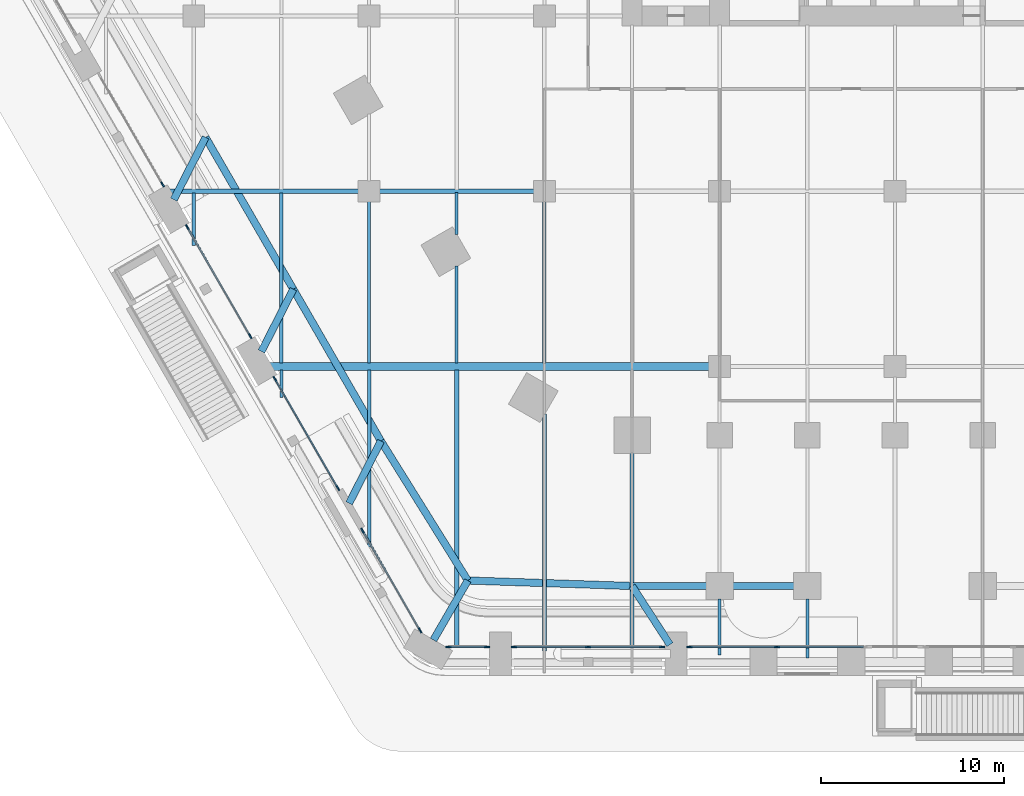
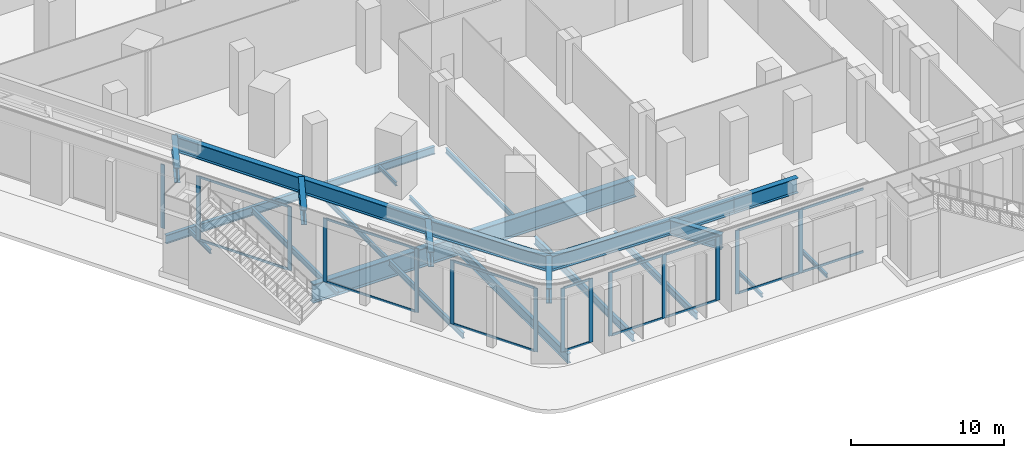
# One storey, part 2 of 34: 30 members, 27 beams, 7 elements without a shape of their own.
"""IFC4 building model written with IfcOpenShell, lengths in metres."""

from ifc_helpers import new_model, si_unit, direction, frame, origin, origin_2d, place, context, subcontext, project, spatial, rectangle, i_section, extrude, material, material_profile, profile_set, type_object, element, aggregate, save


model = new_model("IFC4")

# Units and contexts
model_context = context("Model", 3, precision=1e-05, world=origin(), true_north=direction((0.0, 1.0)))
body_context = subcontext(model_context, "Body", "Model", "MODEL_VIEW")
ifc_project = project(units=[si_unit("LENGTHUNIT", "METRE"), si_unit("AREAUNIT", "SQUARE_METRE"), si_unit("VOLUMEUNIT", "CUBIC_METRE"), si_unit("PLANEANGLEUNIT", "RADIAN"), si_unit("MASSUNIT", "GRAM", prefix="KILO")], contexts=[model_context])

# Site, building, storey
site_placement = place(None, origin())
site = spatial("IfcSite", under=ifc_project, at=site_placement, CompositionType="ELEMENT")
building_placement = place(site_placement, origin())
building = spatial("IfcBuilding", under=site, at=building_placement, Name="Kolab Exchange Tower", CompositionType="ELEMENT")
storey_placement = place(building_placement, frame((0.0, 0.0, 7.0)))
storey = spatial("IfcBuildingStorey", under=building, at=storey_placement, Name="L01", CompositionType="ELEMENT", Elevation=7.0)

# Beams
ifc_material_1 = material(Name="Steel S355", Category="steel")
ifc_material_profile_1 = material_profile(ifc_material_1, i_section(OverallWidth=0.1650390625, OverallDepth=0.31005859375, WebThickness=0.005859375, FlangeThickness=0.009765625, at=origin_2d()), Name="W310X39")
ifc_profile_set_1 = profile_set([ifc_material_profile_1], Name="Steel S355")
beam_type_1 = type_object("IfcBeamType", Name="FLOOR BEAM W310X39", PredefinedType="BEAM", material=ifc_profile_set_1)
beam_1_placement = place(storey_placement, frame((-38.39990234375, -22.181396484375, -0.455078125), z_axis=(0.0, 1.0, 0.0), x_axis=(-1.0, 0.0, 0.0)))
element("IfcBeam", 1, at=beam_1_placement, inside=storey, type_object=beam_type_1, Name="beam/L01/fr/006", PredefinedType="BEAM", context=body_context, shape_type="SweptSolid", body=[
    extrude(i_section(OverallWidth=0.1650390625, OverallDepth=0.31005859375, WebThickness=0.005859375, FlangeThickness=0.009765625, at=origin_2d()), origin(), (0.0, 0.0, 1.0), 2.894287109375),
])
beam_2_placement = place(storey_placement, frame((-33.60009765625, -30.495361328125, -0.455078125), z_axis=(0.0, 1.0, 0.0), x_axis=(-1.0, 0.0, 0.0)))
element("IfcBeam", 2, at=beam_2_placement, inside=storey, type_object=beam_type_1, Name="beam/L01/fr/012", PredefinedType="BEAM", context=body_context, shape_type="SweptSolid", body=[
    extrude(i_section(OverallWidth=0.1650390625, OverallDepth=0.31005859375, WebThickness=0.005859375, FlangeThickness=0.009765625, at=origin_2d()), origin(), (0.0, 0.0, 1.0), 1.51025390625),
])
beam_3_placement = place(storey_placement, frame((-24.0, -28.614990234375, -0.455078125), z_axis=(0.0, 1.0, 0.0), x_axis=(-1.0, 0.0, 0.0)))
element("IfcBeam", 3, at=beam_3_placement, inside=storey, type_object=beam_type_1, Name="beam/L01/fr/031", PredefinedType="BEAM", context=body_context, shape_type="SweptSolid", body=[
    extrude(i_section(OverallWidth=0.1650390625, OverallDepth=0.31005859375, WebThickness=0.005859375, FlangeThickness=0.009765625, at=origin_2d()), origin(), (0.0, 0.0, 1.0), 5.330078125),
])
beam_4_placement = place(storey_placement, frame((-24.0, -21.58154296875, -0.455078125), z_axis=(0.0, 1.0, 0.0), x_axis=(-1.0, 0.0, 0.0)))
element("IfcBeam", 4, at=beam_4_placement, inside=storey, type_object=beam_type_1, Name="beam/L01/fr/032", PredefinedType="BEAM", context=body_context, shape_type="SweptSolid", body=[
    extrude(i_section(OverallWidth=0.1650390625, OverallDepth=0.31005859375, WebThickness=0.005859375, FlangeThickness=0.009765625, at=origin_2d()), origin(), (0.0, 0.0, 1.0), 2.3076171875),
])
beam_5_placement = place(storey_placement, frame((-9.60009765625, -44.59033203125, -0.455078125), z_axis=(0.0, 1.0, 0.0), x_axis=(-1.0, 0.0, 0.0)))
element("IfcBeam", 5, at=beam_5_placement, inside=storey, type_object=beam_type_1, Name="beam/L01/fr/054", PredefinedType="BEAM", context=body_context, shape_type="SweptSolid", body=[
    extrude(i_section(OverallWidth=0.1650390625, OverallDepth=0.31005859375, WebThickness=0.005859375, FlangeThickness=0.009765625, at=origin_2d()), origin(), (0.0, 0.0, 1.0), 3.06103515625),
])
beam_6_placement = place(storey_placement, frame((-4.800048828125, -44.76611328125, -0.455078125), z_axis=(0.0, 1.0, 0.0), x_axis=(-1.0, 0.0, 0.0)))
element("IfcBeam", 6, at=beam_6_placement, inside=storey, type_object=beam_type_1, Name="beam/L01/fr/062", PredefinedType="BEAM", context=body_context, shape_type="SweptSolid", body=[
    extrude(i_section(OverallWidth=0.1650390625, OverallDepth=0.31005859375, WebThickness=0.005859375, FlangeThickness=0.009765625, at=origin_2d()), origin(), (0.0, 0.0, 1.0), 3.23681640625),
])
ifc_material_profile_2 = material_profile(ifc_material_1, i_section(OverallWidth=0.177978515625, OverallDepth=0.406982421875, WebThickness=0.0078125, FlangeThickness=0.0126953125, at=origin_2d()), Name="W410X60")
ifc_profile_set_2 = profile_set([ifc_material_profile_2], Name="Steel S355")
beam_type_2 = type_object("IfcBeamType", Name="FLOOR BEAM W410X60", PredefinedType="BEAM", material=ifc_profile_set_2)
for number, where, z_axis, x_axis, name in (
    (7, (-28.800048828125, -28.614990234375, -0.50341796875), (0.0, 1.0, 0.0), (-1.0, 0.0, 0.0), "beam/L01/fr/022"),
    (8, (-19.199951171875, -28.614990234375, -0.50341796875), (0.0, 1.0, 0.0), (-1.0, 0.0, 0.0), "beam/L01/fr/040"),
):
    element("IfcBeam", number, at=place(storey_placement, frame(where, z_axis=z_axis, x_axis=x_axis)), inside=storey, type_object=beam_type_2, Name=name, PredefinedType="BEAM", context=body_context, shape_type="SweptSolid", body=[
        extrude(i_section(OverallWidth=0.177978515625, OverallDepth=0.406982421875, WebThickness=0.0078125, FlangeThickness=0.0126953125, at=origin_2d()), origin(), (0.0, 0.0, 1.0), 8.85498046875),
    ])
ifc_material_profile_3 = material_profile(ifc_material_1, i_section(OverallWidth=0.18994140625, OverallDepth=0.45703125, WebThickness=0.009033203125, FlangeThickness=0.014404296875, at=origin_2d()), Name="W460X74")
ifc_profile_set_3 = profile_set([ifc_material_profile_3], Name="Steel S355")
beam_type_3 = type_object("IfcBeamType", Name="FLOOR BEAM W460X74", PredefinedType="BEAM", material=ifc_profile_set_3)
beam_7_placement = place(storey_placement, frame((-33.60009765625, -28.614990234375, -0.528564453125), z_axis=(0.0, 1.0, 0.0), x_axis=(-1.0, 0.0, 0.0)))
element("IfcBeam", 9, at=beam_7_placement, inside=storey, type_object=beam_type_3, Name="beam/L01/fr/013", PredefinedType="BEAM", context=body_context, shape_type="SweptSolid", body=[
    extrude(i_section(OverallWidth=0.18994140625, OverallDepth=0.45703125, WebThickness=0.009033203125, FlangeThickness=0.014404296875, at=origin_2d()), origin(), (0.0, 0.0, 1.0), 9.327880859375),
])
beam_8_placement = place(storey_placement, frame((-28.800048828125, -38.684326171875, -0.528564453125), z_axis=(0.0, 1.0, 0.0), x_axis=(-1.0, 0.0, 0.0)))
element("IfcBeam", 10, at=beam_8_placement, inside=storey, type_object=beam_type_3, Name="beam/L01/fr/021", PredefinedType="BEAM", context=body_context, shape_type="SweptSolid", body=[
    extrude(i_section(OverallWidth=0.18994140625, OverallDepth=0.45703125, WebThickness=0.009033203125, FlangeThickness=0.014404296875, at=origin_2d()), origin(), (0.0, 0.0, 1.0), 9.69921875),
])
ifc_material_profile_4 = material_profile(ifc_material_1, i_section(OverallWidth=0.208984375, OverallDepth=0.532958984375, WebThickness=0.01025390625, FlangeThickness=0.015625, at=origin_2d()), Name="W530X92")
ifc_profile_set_4 = profile_set([ifc_material_profile_4], Name="Steel S355")
beam_type_4 = type_object("IfcBeamType", Name="FLOOR BEAM W530X92", PredefinedType="BEAM", material=ifc_profile_set_4)
beam_9_placement = place(storey_placement, frame((-14.39990234375, -44.3662109375, -0.56640625), z_axis=(0.0, 1.0, 0.0), x_axis=(-1.0, 0.0, 0.0)))
element("IfcBeam", 11, at=beam_9_placement, inside=storey, type_object=beam_type_4, Name="beam/L01/fr/047", PredefinedType="BEAM", context=body_context, shape_type="SweptSolid", body=[
    extrude(i_section(OverallWidth=0.208984375, OverallDepth=0.532958984375, WebThickness=0.01025390625, FlangeThickness=0.015625, at=origin_2d()), origin(), (0.0, 0.0, 1.0), 10.850830078125),
])
ifc_material_profile_5 = material_profile(ifc_material_1, i_section(OverallWidth=0.22802734375, OverallDepth=0.60791015625, WebThickness=0.01123046875, FlangeThickness=0.017333984375, at=origin_2d()), Name="W610X113")
ifc_profile_set_5 = profile_set([ifc_material_profile_5], Name="Steel S355")
beam_type_5 = type_object("IfcBeamType", Name="FLOOR BEAM W610X113", PredefinedType="BEAM", material=ifc_profile_set_5)
beam_10_placement = place(storey_placement, frame((-19.199951171875, -44.3662109375, -0.60400390625), z_axis=(0.0, 1.0, 0.0), x_axis=(-1.0, 0.0, 0.0)))
element("IfcBeam", 12, at=beam_10_placement, inside=storey, type_object=beam_type_5, Name="beam/L01/fr/039", PredefinedType="BEAM", context=body_context, shape_type="SweptSolid", body=[
    extrude(i_section(OverallWidth=0.22802734375, OverallDepth=0.60791015625, WebThickness=0.01123046875, FlangeThickness=0.017333984375, at=origin_2d()), origin(), (0.0, 0.0, 1.0), 12.957763671875),
])
ifc_material_profile_6 = material_profile(ifc_material_1, i_section(OverallWidth=0.26708984375, OverallDepth=0.761962890625, WebThickness=0.014404296875, FlangeThickness=0.021484375, at=origin_2d()), Name="W760X173")
ifc_profile_set_6 = profile_set([ifc_material_profile_6], Name="Steel S355")
beam_type_6 = type_object("IfcBeamType", Name="FLOOR BEAM W760X173", PredefinedType="BEAM", material=ifc_profile_set_6)
beam_11_placement = place(storey_placement, frame((-24.0, -44.219970703125, -0.680908203125), z_axis=(0.0, 1.0, 0.0), x_axis=(-1.0, 0.0, 0.0)))
element("IfcBeam", 13, at=beam_11_placement, inside=storey, type_object=beam_type_6, Name="beam/L01/fr/030", PredefinedType="BEAM", context=body_context, shape_type="SweptSolid", body=[
    extrude(i_section(OverallWidth=0.26708984375, OverallDepth=0.761962890625, WebThickness=0.014404296875, FlangeThickness=0.021484375, at=origin_2d()), origin(), (0.0, 0.0, 1.0), 15.23486328125),
])
ifc_material_profile_7 = material_profile(ifc_material_1, i_section(OverallWidth=0.449951171875, OverallDepth=1.5, WebThickness=0.028076171875, FlangeThickness=0.044921875, at=origin_2d()), Name="PG1500X450")
ifc_profile_set_7 = profile_set([ifc_material_profile_7], Name="Steel S355")
beam_type_7 = type_object("IfcBeamType", Name="FLOOR GIRDER PG1500X450", PredefinedType="BEAM", material=ifc_profile_set_7)
beam_12_placement = place(storey_placement, frame((-34.595703125, -28.800048828125, -1.050048828125), z_axis=(1.0, 0.0, 0.0), x_axis=(0.0, 1.0, 0.0)))
element("IfcBeam", 14, at=beam_12_placement, inside=storey, type_object=beam_type_7, Name="beam/L01/gd/007", PredefinedType="BEAM", context=body_context, shape_type="SweptSolid", body=[
    extrude(i_section(OverallWidth=0.449951171875, OverallDepth=1.5, WebThickness=0.028076171875, FlangeThickness=0.044921875, at=origin_2d()), origin(), (0.0, 0.0, 1.0), 24.435791015625),
])
ifc_material_profile_8 = material_profile(ifc_material_1, i_section(OverallWidth=0.22802734375, OverallDepth=0.60791015625, WebThickness=0.01123046875, FlangeThickness=0.017333984375, at=origin_2d()), Name="W610X113")
ifc_profile_set_8 = profile_set([ifc_material_profile_8], Name="Steel S355")
beam_type_8 = type_object("IfcBeamType", Name="FLOOR GIRDER W610X113", PredefinedType="BEAM", material=ifc_profile_set_8)
beam_13_placement = place(storey_placement, frame((-28.239990234375, -19.199951171875, -0.60400390625), z_axis=(1.0, 0.0, 0.0), x_axis=(0.0, 1.0, 0.0)))
element("IfcBeam", 15, at=beam_13_placement, inside=storey, type_object=beam_type_8, Name="beam/L01/gd/010", PredefinedType="BEAM", context=body_context, shape_type="SweptSolid", body=[
    extrude(i_section(OverallWidth=0.22802734375, OverallDepth=0.60791015625, WebThickness=0.01123046875, FlangeThickness=0.017333984375, at=origin_2d()), origin(), (0.0, 0.0, 1.0), 8.47998046875),
])
ifc_material_profile_9 = material_profile(ifc_material_1, i_section(OverallWidth=0.25390625, OverallDepth=0.68408203125, WebThickness=0.012451171875, FlangeThickness=0.018798828125, at=origin_2d()), Name="W690X140")
ifc_profile_set_9 = profile_set([ifc_material_profile_9], Name="Steel S355")
beam_type_9 = type_object("IfcBeamType", Name="FLOOR GIRDER W690X140", PredefinedType="BEAM", material=ifc_profile_set_9)
beam_14_placement = place(storey_placement, frame((-40.13818359375, -19.199951171875, -0.64208984375), z_axis=(1.0, 0.0, 0.0), x_axis=(0.0, 1.0, 0.0)))
element("IfcBeam", 16, at=beam_14_placement, inside=storey, type_object=beam_type_9, Name="beam/L01/gd/003", PredefinedType="BEAM", context=body_context, shape_type="SweptSolid", body=[
    extrude(i_section(OverallWidth=0.25390625, OverallDepth=0.68408203125, WebThickness=0.012451171875, FlangeThickness=0.018798828125, at=origin_2d()), origin(), (0.0, 0.0, 1.0), 10.778076171875),
])

# Curtain wall, members
ifc_material_2 = material(Name="Aluminium EN AW-6063 T6", Category="aluminium")
curtain_wall_type = type_object("IfcCurtainWallType", Name="PODIUM STRUCTURAL GLAZING CURTAIN WALL", PredefinedType="NOTDEFINED", material=ifc_material_2)
curtain_wall_1_placement = place(storey_placement, origin())
curtain_wall_1 = element("IfcCurtainWall", 17, at=curtain_wall_1_placement, inside=storey, type_object=curtain_wall_type, Name="cw/L01/F4-3", PredefinedType="NOTDEFINED")
ifc_material_profile_10 = material_profile(ifc_material_2, rectangle(XDim=0.080078125, YDim=0.300048828125, at=origin_2d()), Name="RECT 80X300")
ifc_profile_set_10 = profile_set([ifc_material_profile_10], Name="Aluminium EN AW-6063 T6")
member_type_1 = type_object("IfcMemberType", Name="PODIUM STRUCTURAL GLAZING MULLION 80 X 300", PredefinedType="MULLION", material=ifc_profile_set_10)
member_1_placement = place(storey_placement, frame((-6.468994140625, -44.146240234375, 0.0), z_axis=(0.0, 0.0, 1.0), x_axis=(0.0, -1.0, 0.0)))
member_1 = element("IfcMember", 18, at=member_1_placement, type_object=member_type_1, Name="CW5 mullion 2", PredefinedType="MULLION", context=body_context, shape_type="SweptSolid", body=[
    extrude(rectangle(XDim=0.080078125, YDim=0.300048828125, at=origin_2d()), origin(), (0.0, 0.0, 1.0), 5.10009765625),
])
member_2_placement = place(storey_placement, frame((-11.25, -44.146240234375, 0.0), z_axis=(0.0, 0.0, 1.0), x_axis=(0.0, -1.0, 0.0)))
member_2 = element("IfcMember", 19, at=member_2_placement, type_object=member_type_1, Name="CW5 mullion 3", PredefinedType="MULLION", context=body_context, shape_type="SweptSolid", body=[
    extrude(rectangle(XDim=0.080078125, YDim=0.300048828125, at=origin_2d()), origin(), (0.0, 0.0, 1.0), 5.10009765625),
])

curtain_wall_2_placement = place(storey_placement, origin())
curtain_wall_2 = element("IfcCurtainWall", 20, at=curtain_wall_2_placement, inside=storey, type_object=curtain_wall_type, Name="cw/L01/F4-4", PredefinedType="NOTDEFINED")
member_3_placement = place(storey_placement, frame((-12.75, -44.146240234375, 0.0), z_axis=(0.0, 0.0, 1.0), x_axis=(0.0, -1.0, 0.0)))
member_3 = element("IfcMember", 21, at=member_3_placement, type_object=member_type_1, Name="CW5 mullion 1", PredefinedType="MULLION", context=body_context, shape_type="SweptSolid", body=[
    extrude(rectangle(XDim=0.080078125, YDim=0.300048828125, at=origin_2d()), origin(), (0.0, 0.0, 1.0), 5.10009765625),
])
member_4_placement = place(storey_placement, frame((-16.800048828125, -44.146240234375, 0.0), z_axis=(0.0, 0.0, 1.0), x_axis=(0.0, -1.0, 0.0)))
member_4 = element("IfcMember", 22, at=member_4_placement, type_object=member_type_1, Name="CW5 mullion 2", PredefinedType="MULLION", context=body_context, shape_type="SweptSolid", body=[
    extrude(rectangle(XDim=0.080078125, YDim=0.300048828125, at=origin_2d()), origin(), (0.0, 0.0, 1.0), 5.10009765625),
])
member_5_placement = place(storey_placement, frame((-20.85009765625, -44.146240234375, 0.0), z_axis=(0.0, 0.0, 1.0), x_axis=(0.0, -1.0, 0.0)))
member_5 = element("IfcMember", 23, at=member_5_placement, type_object=member_type_1, Name="CW5 mullion 3", PredefinedType="MULLION", context=body_context, shape_type="SweptSolid", body=[
    extrude(rectangle(XDim=0.080078125, YDim=0.300048828125, at=origin_2d()), origin(), (0.0, 0.0, 1.0), 5.10009765625),
])

curtain_wall_3_placement = place(storey_placement, origin())
curtain_wall_3 = element("IfcCurtainWall", 24, at=curtain_wall_3_placement, inside=storey, type_object=curtain_wall_type, Name="cw/L01/F4-5", PredefinedType="NOTDEFINED")
member_6_placement = place(storey_placement, frame((-22.35009765625, -44.146240234375, 0.0), z_axis=(0.0, 0.0, 1.0), x_axis=(0.0, -1.0, 0.0)))
member_6 = element("IfcMember", 25, at=member_6_placement, type_object=member_type_1, Name="CW5 mullion 1", PredefinedType="MULLION", context=body_context, shape_type="SweptSolid", body=[
    extrude(rectangle(XDim=0.080078125, YDim=0.300048828125, at=origin_2d()), origin(), (0.0, 0.0, 1.0), 5.10009765625),
])
member_7_placement = place(storey_placement, frame((-24.45849609375, -44.146240234375, 0.0), z_axis=(0.0, 0.0, 1.0), x_axis=(0.0, -1.0, 0.0)))
member_7 = element("IfcMember", 26, at=member_7_placement, type_object=member_type_1, Name="CW5 mullion 2", PredefinedType="MULLION", context=body_context, shape_type="SweptSolid", body=[
    extrude(rectangle(XDim=0.080078125, YDim=0.300048828125, at=origin_2d()), origin(), (0.0, 0.0, 1.0), 5.10009765625),
])

curtain_wall_4_placement = place(storey_placement, origin())
curtain_wall_4 = element("IfcCurtainWall", 27, at=curtain_wall_4_placement, inside=storey, type_object=curtain_wall_type, Name="cw/L01/F5-1", PredefinedType="NOTDEFINED")
member_8_placement = place(storey_placement, frame((-26.00244140625, -43.254638671875, 0.0), z_axis=(0.0, 0.0, 1.0), x_axis=(-0.866025409012, -0.499999990946, 0.0)))
member_8 = element("IfcMember", 28, at=member_8_placement, type_object=member_type_1, Name="CW5 mullion 1", PredefinedType="MULLION", context=body_context, shape_type="SweptSolid", body=[
    extrude(rectangle(XDim=0.080078125, YDim=0.300048828125, at=origin_2d()), origin(), (0.0, 0.0, 1.0), 5.10009765625),
])
member_9_placement = place(storey_placement, frame((-29.15673828125, -37.79150390625, 0.0), z_axis=(0.0, 0.0, 1.0), x_axis=(-0.866025409012, -0.499999990946, 0.0)))
member_9 = element("IfcMember", 29, at=member_9_placement, type_object=member_type_1, Name="CW5 mullion 2", PredefinedType="MULLION", context=body_context, shape_type="SweptSolid", body=[
    extrude(rectangle(XDim=0.080078125, YDim=0.300048828125, at=origin_2d()), origin(), (0.0, 0.0, 1.0), 5.10009765625),
])

curtain_wall_5_placement = place(storey_placement, origin())
curtain_wall_5 = element("IfcCurtainWall", 30, at=curtain_wall_5_placement, inside=storey, type_object=curtain_wall_type, Name="cw/L01/F5-2", PredefinedType="NOTDEFINED")
member_10_placement = place(storey_placement, frame((-30.506591796875, -35.453125, 0.0), z_axis=(0.0, 0.0, 1.0), x_axis=(-0.866025392379, -0.500000019755, 0.0)))
member_10 = element("IfcMember", 31, at=member_10_placement, type_object=member_type_1, Name="CW5 mullion 1", PredefinedType="MULLION", context=body_context, shape_type="SweptSolid", body=[
    extrude(rectangle(XDim=0.080078125, YDim=0.300048828125, at=origin_2d()), origin(), (0.0, 0.0, 1.0), 5.10009765625),
])
member_11_placement = place(storey_placement, frame((-33.956787109375, -29.4775390625, 0.0), z_axis=(0.0, 0.0, 1.0), x_axis=(-0.866025392379, -0.500000019755, 0.0)))
member_11 = element("IfcMember", 32, at=member_11_placement, type_object=member_type_1, Name="CW5 mullion 2", PredefinedType="MULLION", context=body_context, shape_type="SweptSolid", body=[
    extrude(rectangle(XDim=0.080078125, YDim=0.300048828125, at=origin_2d()), origin(), (0.0, 0.0, 1.0), 5.10009765625),
])

curtain_wall_6_placement = place(storey_placement, origin())
curtain_wall_6 = element("IfcCurtainWall", 33, at=curtain_wall_6_placement, inside=storey, type_object=curtain_wall_type, Name="cw/L01/F5-3", PredefinedType="NOTDEFINED")
member_12_placement = place(storey_placement, frame((-35.306640625, -27.139404296875, 0.0), z_axis=(0.0, 0.0, 1.0), x_axis=(-0.866025392379, -0.500000019755, 0.0)))
member_12 = element("IfcMember", 34, at=member_12_placement, type_object=member_type_1, Name="CW5 mullion 1", PredefinedType="MULLION", context=body_context, shape_type="SweptSolid", body=[
    extrude(rectangle(XDim=0.080078125, YDim=0.300048828125, at=origin_2d()), origin(), (0.0, 0.0, 1.0), 5.10009765625),
])
member_13_placement = place(storey_placement, frame((-38.756591796875, -21.163818359375, 0.0), z_axis=(0.0, 0.0, 1.0), x_axis=(-0.866025392379, -0.500000019755, 0.0)))
member_13 = element("IfcMember", 35, at=member_13_placement, type_object=member_type_1, Name="CW5 mullion 2", PredefinedType="MULLION", context=body_context, shape_type="SweptSolid", body=[
    extrude(rectangle(XDim=0.080078125, YDim=0.300048828125, at=origin_2d()), origin(), (0.0, 0.0, 1.0), 5.10009765625),
])

# Curtain wall, member
curtain_wall_7_placement = place(storey_placement, origin())
curtain_wall_7 = element("IfcCurtainWall", 36, at=curtain_wall_7_placement, inside=storey, type_object=curtain_wall_type, Name="cw/L01/F5-4", PredefinedType="NOTDEFINED")
member_14_placement = place(storey_placement, frame((-40.106689453125, -18.825439453125, 0.0), z_axis=(0.0, 0.0, 1.0), x_axis=(-0.866025392379, -0.500000019755, 0.0)))
member_14 = element("IfcMember", 37, at=member_14_placement, type_object=member_type_1, Name="CW5 mullion 1", PredefinedType="MULLION", context=body_context, shape_type="SweptSolid", body=[
    extrude(rectangle(XDim=0.080078125, YDim=0.300048828125, at=origin_2d()), origin(), (0.0, 0.0, 1.0), 5.10009765625),
])
aggregate(curtain_wall_7, [member_14])

# Member
ifc_material_profile_11 = material_profile(ifc_material_2, rectangle(XDim=0.080078125, YDim=0.179931640625, at=origin_2d()), Name="RECT 80X180")
ifc_profile_set_11 = profile_set([ifc_material_profile_11], Name="Aluminium EN AW-6063 T6")
member_type_2 = type_object("IfcMemberType", Name="PODIUM STRUCTURAL GLAZING TRANSOM 80 X 180", PredefinedType="USERDEFINED", material=ifc_profile_set_11)
member_15_placement = place(storey_placement, frame((-1.72802734375, -44.146240234375, 0.0400390625), z_axis=(-1.0, 0.0, 0.0), x_axis=(0.0, -1.0, 0.0)))
member_15 = element("IfcMember", 38, at=member_15_placement, type_object=member_type_2, Name="CW5 transom 1.1", ObjectType="TRANSOM", PredefinedType="USERDEFINED", context=body_context, shape_type="SweptSolid", body=[
    extrude(rectangle(XDim=0.080078125, YDim=0.179931640625, at=origin_2d()), origin(), (0.0, 0.0, 1.0), 4.700927734375),
])

member_16_placement = place(storey_placement, frame((-1.72802734375, -44.146240234375, 5.06005859375), z_axis=(-1.0, 0.0, 0.0), x_axis=(0.0, -1.0, 0.0)))
member_16 = element("IfcMember", 39, at=member_16_placement, type_object=member_type_2, Name="CW5 transom 1.2", ObjectType="TRANSOM", PredefinedType="USERDEFINED", context=body_context, shape_type="SweptSolid", body=[
    extrude(rectangle(XDim=0.080078125, YDim=0.179931640625, at=origin_2d()), origin(), (0.0, 0.0, 1.0), 4.700927734375),
])

member_17_placement = place(storey_placement, frame((-6.509033203125, -44.146240234375, 0.0400390625), z_axis=(-1.0, 0.0, 0.0), x_axis=(0.0, -1.0, 0.0)))
member_17 = element("IfcMember", 40, at=member_17_placement, type_object=member_type_2, Name="CW5 transom 2.1", ObjectType="TRANSOM", PredefinedType="USERDEFINED", context=body_context, shape_type="SweptSolid", body=[
    extrude(rectangle(XDim=0.080078125, YDim=0.179931640625, at=origin_2d()), origin(), (0.0, 0.0, 1.0), 4.700927734375),
])

member_18_placement = place(storey_placement, frame((-6.509033203125, -44.146240234375, 5.06005859375), z_axis=(-1.0, 0.0, 0.0), x_axis=(0.0, -1.0, 0.0)))
member_18 = element("IfcMember", 41, at=member_18_placement, type_object=member_type_2, Name="CW5 transom 2.2", ObjectType="TRANSOM", PredefinedType="USERDEFINED", context=body_context, shape_type="SweptSolid", body=[
    extrude(rectangle(XDim=0.080078125, YDim=0.179931640625, at=origin_2d()), origin(), (0.0, 0.0, 1.0), 4.700927734375),
])

aggregate(curtain_wall_1, [member_1, member_2, member_15, member_16, member_17, member_18])

member_19_placement = place(storey_placement, frame((-12.7900390625, -44.146240234375, 0.0400390625), z_axis=(-1.0, 0.0, 0.0), x_axis=(0.0, -1.0, 0.0)))
member_19 = element("IfcMember", 42, at=member_19_placement, type_object=member_type_2, Name="CW5 transom 1.1", ObjectType="TRANSOM", PredefinedType="USERDEFINED", context=body_context, shape_type="SweptSolid", body=[
    extrude(rectangle(XDim=0.080078125, YDim=0.179931640625, at=origin_2d()), origin(), (0.0, 0.0, 1.0), 3.969970703125),
])

member_20_placement = place(storey_placement, frame((-12.7900390625, -44.146240234375, 5.06005859375), z_axis=(-1.0, 0.0, 0.0), x_axis=(0.0, -1.0, 0.0)))
member_20 = element("IfcMember", 43, at=member_20_placement, type_object=member_type_2, Name="CW5 transom 1.2", ObjectType="TRANSOM", PredefinedType="USERDEFINED", context=body_context, shape_type="SweptSolid", body=[
    extrude(rectangle(XDim=0.080078125, YDim=0.179931640625, at=origin_2d()), origin(), (0.0, 0.0, 1.0), 3.969970703125),
])

member_21_placement = place(storey_placement, frame((-16.840087890625, -44.146240234375, 0.0400390625), z_axis=(-1.0, 0.0, 0.0), x_axis=(0.0, -1.0, 0.0)))
member_21 = element("IfcMember", 44, at=member_21_placement, type_object=member_type_2, Name="CW5 transom 2.1", ObjectType="TRANSOM", PredefinedType="USERDEFINED", context=body_context, shape_type="SweptSolid", body=[
    extrude(rectangle(XDim=0.080078125, YDim=0.179931640625, at=origin_2d()), origin(), (0.0, 0.0, 1.0), 3.969970703125),
])

member_22_placement = place(storey_placement, frame((-16.840087890625, -44.146240234375, 5.06005859375), z_axis=(-1.0, 0.0, 0.0), x_axis=(0.0, -1.0, 0.0)))
member_22 = element("IfcMember", 45, at=member_22_placement, type_object=member_type_2, Name="CW5 transom 2.2", ObjectType="TRANSOM", PredefinedType="USERDEFINED", context=body_context, shape_type="SweptSolid", body=[
    extrude(rectangle(XDim=0.080078125, YDim=0.179931640625, at=origin_2d()), origin(), (0.0, 0.0, 1.0), 3.969970703125),
])

aggregate(curtain_wall_2, [member_3, member_4, member_5, member_19, member_20, member_21, member_22])

member_23_placement = place(storey_placement, frame((-22.389892578125, -44.146240234375, 0.0400390625), z_axis=(-1.0, 0.0, 0.0), x_axis=(0.0, -1.0, 0.0)))
member_23 = element("IfcMember", 46, at=member_23_placement, type_object=member_type_2, Name="CW5 transom 1.1", ObjectType="TRANSOM", PredefinedType="USERDEFINED", context=body_context, shape_type="SweptSolid", body=[
    extrude(rectangle(XDim=0.080078125, YDim=0.179931640625, at=origin_2d()), origin(), (0.0, 0.0, 1.0), 2.028564453125),
])

member_24_placement = place(storey_placement, frame((-22.389892578125, -44.146240234375, 5.06005859375), z_axis=(-1.0, 0.0, 0.0), x_axis=(0.0, -1.0, 0.0)))
member_24 = element("IfcMember", 47, at=member_24_placement, type_object=member_type_2, Name="CW5 transom 1.2", ObjectType="TRANSOM", PredefinedType="USERDEFINED", context=body_context, shape_type="SweptSolid", body=[
    extrude(rectangle(XDim=0.080078125, YDim=0.179931640625, at=origin_2d()), origin(), (0.0, 0.0, 1.0), 2.028564453125),
])

aggregate(curtain_wall_3, [member_6, member_7, member_23, member_24])

member_25_placement = place(storey_placement, frame((-26.0224609375, -43.219970703125, 0.0400390625), z_axis=(-0.500017654059, 0.866015210969, 0.0), x_axis=(-0.866015210969, -0.500017654059, 0.0)))
member_25 = element("IfcMember", 48, at=member_25_placement, type_object=member_type_2, Name="CW5 transom 1.1", ObjectType="TRANSOM", PredefinedType="USERDEFINED", context=body_context, shape_type="SweptSolid", body=[
    extrude(rectangle(XDim=0.080078125, YDim=0.179931640625, at=origin_2d()), origin(), (0.0, 0.0, 1.0), 6.228271484375),
])

member_26_placement = place(storey_placement, frame((-26.0224609375, -43.219970703125, 5.06005859375), z_axis=(-0.500017654059, 0.866015210969, 0.0), x_axis=(-0.866015210969, -0.500017654059, 0.0)))
member_26 = element("IfcMember", 49, at=member_26_placement, type_object=member_type_2, Name="CW5 transom 1.2", ObjectType="TRANSOM", PredefinedType="USERDEFINED", context=body_context, shape_type="SweptSolid", body=[
    extrude(rectangle(XDim=0.080078125, YDim=0.179931640625, at=origin_2d()), origin(), (0.0, 0.0, 1.0), 6.228271484375),
])

aggregate(curtain_wall_4, [member_8, member_9, member_25, member_26])

member_27_placement = place(storey_placement, frame((-30.526611328125, -35.41845703125, 0.0400390625), z_axis=(-0.50001992892, 0.866013897511, 0.0), x_axis=(-0.866013897511, -0.50001992892, 0.0)))
member_27 = element("IfcMember", 50, at=member_27_placement, type_object=member_type_2, Name="CW5 transom 1.1", ObjectType="TRANSOM", PredefinedType="USERDEFINED", context=body_context, shape_type="SweptSolid", body=[
    extrude(rectangle(XDim=0.080078125, YDim=0.179931640625, at=origin_2d()), origin(), (0.0, 0.0, 1.0), 6.820068359375),
])

member_28_placement = place(storey_placement, frame((-30.526611328125, -35.41845703125, 5.06005859375), z_axis=(-0.50001992892, 0.866013897511, 0.0), x_axis=(-0.866013897511, -0.50001992892, 0.0)))
member_28 = element("IfcMember", 51, at=member_28_placement, type_object=member_type_2, Name="CW5 transom 1.2", ObjectType="TRANSOM", PredefinedType="USERDEFINED", context=body_context, shape_type="SweptSolid", body=[
    extrude(rectangle(XDim=0.080078125, YDim=0.179931640625, at=origin_2d()), origin(), (0.0, 0.0, 1.0), 6.820068359375),
])

aggregate(curtain_wall_5, [member_10, member_11, member_27, member_28])

member_29_placement = place(storey_placement, frame((-35.32666015625, -27.104736328125, 0.0400390625), z_axis=(-0.499993080764, 0.866029398571, 0.0), x_axis=(-0.866029398571, -0.499993080764, 0.0)))
member_29 = element("IfcMember", 52, at=member_29_placement, type_object=member_type_2, Name="CW5 transom 1.1", ObjectType="TRANSOM", PredefinedType="USERDEFINED", context=body_context, shape_type="SweptSolid", body=[
    extrude(rectangle(XDim=0.080078125, YDim=0.179931640625, at=origin_2d()), origin(), (0.0, 0.0, 1.0), 6.81982421875),
])

member_30_placement = place(storey_placement, frame((-35.32666015625, -27.104736328125, 5.06005859375), z_axis=(-0.499993080764, 0.866029398571, 0.0), x_axis=(-0.866029398571, -0.499993080764, 0.0)))
member_30 = element("IfcMember", 53, at=member_30_placement, type_object=member_type_2, Name="CW5 transom 1.2", ObjectType="TRANSOM", PredefinedType="USERDEFINED", context=body_context, shape_type="SweptSolid", body=[
    extrude(rectangle(XDim=0.080078125, YDim=0.179931640625, at=origin_2d()), origin(), (0.0, 0.0, 1.0), 6.81982421875),
])

aggregate(curtain_wall_6, [member_12, member_13, member_29, member_30])

# Beams
ifc_material_profile_12 = material_profile(ifc_material_1, i_section(OverallWidth=0.39990234375, OverallDepth=1.199951171875, WebThickness=0.02490234375, FlangeThickness=0.0400390625, at=origin_2d()), Name="PG1200X400")
ifc_profile_set_12 = profile_set([ifc_material_profile_12], Name="Steel S355")
beam_type_10 = type_object("IfcBeamType", Name="TRANSFER GIRDER PG1200X400", PredefinedType="BEAM", material=ifc_profile_set_12)
beam_15_placement = place(storey_placement, frame((-14.39990234375, -40.819091796875, 4.5), z_axis=(0.543399431625, -0.839474274596, 0.0), x_axis=(0.839474274596, 0.543399431625, 0.0)))
element("IfcBeam", 54, at=beam_15_placement, inside=storey, type_object=beam_type_10, Name="beam/L01/tg/P2-F4-09", PredefinedType="BEAM", context=body_context, shape_type="SweptSolid", body=[
    extrude(i_section(OverallWidth=0.39990234375, OverallDepth=1.199951171875, WebThickness=0.02490234375, FlangeThickness=0.0400390625, at=origin_2d()), origin(), (0.0, 0.0, 1.0), 3.826171875),
])
beam_16_placement = place(storey_placement, frame((-23.392822265625, -40.517822265625, 4.5), z_axis=(-0.50004282833, -0.866000675424, 0.0), x_axis=(0.866000675424, -0.50004282833, 0.0)))
element("IfcBeam", 55, at=beam_16_placement, inside=storey, type_object=beam_type_10, Name="beam/L01/tg/P2-F5-01", PredefinedType="BEAM", context=body_context, shape_type="SweptSolid", body=[
    extrude(i_section(OverallWidth=0.39990234375, OverallDepth=1.199951171875, WebThickness=0.02490234375, FlangeThickness=0.0400390625, at=origin_2d()), origin(), (0.0, 0.0, 1.0), 3.760009765625),
])
for number, where, z_axis, x_axis, name in (
    (56, (-28.150390625, -32.88037109375, 4.5), (-0.455209992667, -0.890384109571, 0.0), (0.890384109571, -0.455209992667, 0.0), "beam/L01/tg/P2-F5-03"),
    (57, (-32.950439453125, -24.56640625, 4.5), (-0.455209992667, -0.890384109571, 0.0), (0.890384109571, -0.455209992667, 0.0), "beam/L01/tg/P2-F5-05"),
):
    element("IfcBeam", number, at=place(storey_placement, frame(where, z_axis=z_axis, x_axis=x_axis)), inside=storey, type_object=beam_type_10, Name=name, PredefinedType="BEAM", context=body_context, shape_type="SweptSolid", body=[
        extrude(i_section(OverallWidth=0.39990234375, OverallDepth=1.199951171875, WebThickness=0.02490234375, FlangeThickness=0.0400390625, at=origin_2d()), origin(), (0.0, 0.0, 1.0), 3.826171875),
    ])
beam_17_placement = place(storey_placement, frame((-37.75048828125, -16.252685546875, 4.5), z_axis=(-0.455235856288, -0.890370886288, 0.0), x_axis=(0.890370886288, -0.455235856288, 0.0)))
element("IfcBeam", 58, at=beam_17_placement, inside=storey, type_object=beam_type_10, Name="beam/L01/tg/P2-F5-07", PredefinedType="BEAM", context=body_context, shape_type="SweptSolid", body=[
    extrude(i_section(OverallWidth=0.39990234375, OverallDepth=1.199951171875, WebThickness=0.02490234375, FlangeThickness=0.0400390625, at=origin_2d()), origin(), (0.0, 0.0, 1.0), 3.825927734375),
])
beam_18_placement = place(storey_placement, frame((-4.800048828125, -40.819091796875, 4.5), z_axis=(-1.0, 0.0, 0.0), x_axis=(0.0, -1.0, 0.0)))
element("IfcBeam", 59, at=beam_18_placement, inside=storey, type_object=beam_type_10, Name="beam/L01/rg/P2-F4-07", PredefinedType="BEAM", context=body_context, shape_type="SweptSolid", body=[
    extrude(i_section(OverallWidth=0.39990234375, OverallDepth=1.199951171875, WebThickness=0.02490234375, FlangeThickness=0.0400390625, at=origin_2d()), origin(), (0.0, 0.0, 1.0), 4.800048828125),
])
beam_19_placement = place(storey_placement, frame((-9.60009765625, -40.819091796875, 4.5), z_axis=(-1.0, 0.0, 0.0), x_axis=(0.0, -1.0, 0.0)))
element("IfcBeam", 60, at=beam_19_placement, inside=storey, type_object=beam_type_10, Name="beam/L01/rg/P2-F4-08", PredefinedType="BEAM", context=body_context, shape_type="SweptSolid", body=[
    extrude(i_section(OverallWidth=0.39990234375, OverallDepth=1.199951171875, WebThickness=0.02490234375, FlangeThickness=0.0400390625, at=origin_2d()), origin(), (0.0, 0.0, 1.0), 4.7998046875),
])
for number, where, z_axis, x_axis, name in (
    (61, (-14.39990234375, -40.819091796875, 4.5), (-0.999439321882, 0.033481963437, 0.0), (-0.033481963437, -0.999439321882, 0.0), "beam/L01/rg/P2-F4-09"),
    (62, (-23.392822265625, -40.517822265625, 4.5), (-0.528732569024, 0.848788472149, 0.0), (-0.848788472149, -0.528732569024, 0.0), "beam/L01/rg/P2-F5-01"),
):
    element("IfcBeam", number, at=place(storey_placement, frame(where, z_axis=z_axis, x_axis=x_axis)), inside=storey, type_object=beam_type_10, Name=name, PredefinedType="BEAM", context=body_context, shape_type="SweptSolid", body=[
        extrude(i_section(OverallWidth=0.39990234375, OverallDepth=1.199951171875, WebThickness=0.02490234375, FlangeThickness=0.0400390625, at=origin_2d()), origin(), (0.0, 0.0, 1.0), 8.998046875),
    ])
beam_20_placement = place(storey_placement, frame((-28.150390625, -32.88037109375, 4.5), z_axis=(-0.499998358424, 0.866026351547, 0.0), x_axis=(-0.866026351547, -0.499998358424, 0.0)))
element("IfcBeam", 63, at=beam_20_placement, inside=storey, type_object=beam_type_10, Name="beam/L01/rg/P2-F5-03", PredefinedType="BEAM", context=body_context, shape_type="SweptSolid", body=[
    extrude(i_section(OverallWidth=0.39990234375, OverallDepth=1.199951171875, WebThickness=0.02490234375, FlangeThickness=0.0400390625, at=origin_2d()), origin(), (0.0, 0.0, 1.0), 9.60009765625),
])
beam_21_placement = place(storey_placement, frame((-32.950439453125, -24.56640625, 4.5), z_axis=(-0.500009370536, 0.866019993635, 0.0), x_axis=(-0.866019993635, -0.500009370536, 0.0)))
element("IfcBeam", 64, at=beam_21_placement, inside=storey, type_object=beam_type_10, Name="beam/L01/rg/P2-F5-05", PredefinedType="BEAM", context=body_context, shape_type="SweptSolid", body=[
    extrude(i_section(OverallWidth=0.39990234375, OverallDepth=1.199951171875, WebThickness=0.02490234375, FlangeThickness=0.0400390625, at=origin_2d()), origin(), (0.0, 0.0, 1.0), 9.599853515625),
])

save(model, "model.ifc")
